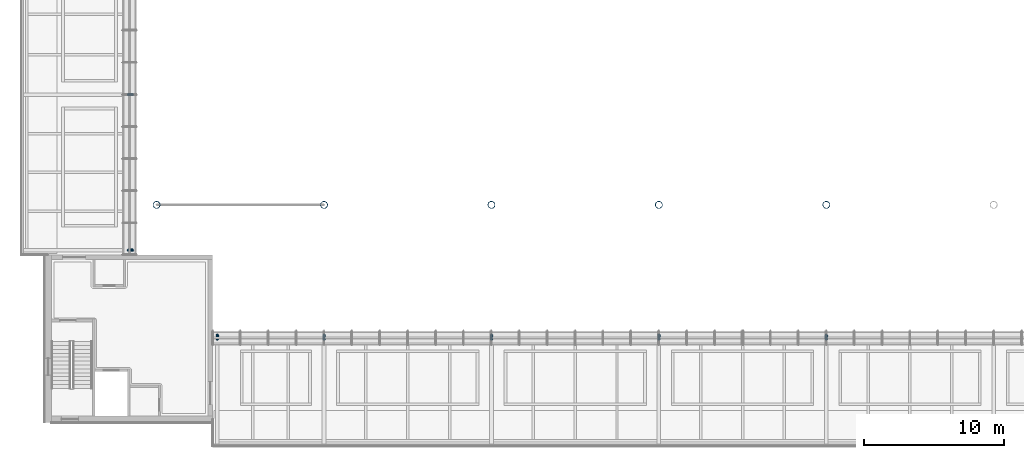
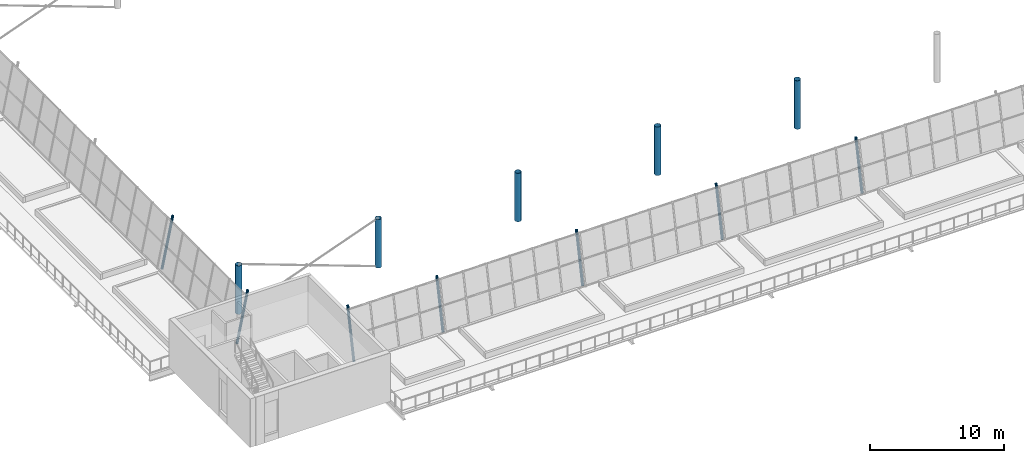
# One storey, part 1 of 58: 12 columns.
"""IFC4 building model written with IfcOpenShell, lengths in metres."""

import ifcopenshell
import ifcopenshell.guid

model = None  # the IFC model being written
_history = None  # IfcOwnerHistory: only IFC2X3 demands one
_inside = {}  # id of a spatial element -> (the spatial element, [elements in it])
_under = {}  # id of a project, library or spatial element -> (it, [spatial elements below it])
_declared = {}  # id of a project -> (the project, [libraries it declares])
_typed = {}  # id of a type object -> (the type object, [elements of that type])
_made_of = {}  # id of a material, layer set ... -> (it, [elements and type objects made of it])


def new_model(schema):
    """Start an empty IFC model of exactly this schema.

    Asked for "IFC4X3", IfcOpenShell would pick the latest addendum, in which some entities
    have other attributes; the version numbers below select the first issue.
    IFC2X3 requires an IfcOwnerHistory on every rooted entity: one is made here for all.
    """
    global model, _history
    if schema == "IFC4X3":
        model = ifcopenshell.file(schema_version=(4, 3, 0, 0))
    else:
        model = ifcopenshell.file(schema=schema)
    _inside.clear()
    _under.clear()
    _declared.clear()
    _typed.clear()
    _made_of.clear()
    _history = None
    if model.schema == "IFC2X3":
        org = make("IfcOrganization", Name="unknown")
        user = make(
            "IfcPersonAndOrganization",
            ThePerson=make("IfcPerson", FamilyName="unknown"),
            TheOrganization=org,
        )
        app = make(
            "IfcApplication",
            ApplicationDeveloper=org,
            Version="unknown",
            ApplicationFullName="unknown",
            ApplicationIdentifier="unknown",
        )
        _history = make(
            "IfcOwnerHistory",
            OwningUser=user,
            OwningApplication=app,
            ChangeAction="ADDED",
            CreationDate=0,
        )
    return model


def make(cls, **values):
    """One entity of the class cls with the attributes given. An attribute that is None is left unset."""
    return model.create_entity(
        cls, **{name: value for name, value in values.items() if value is not None}
    )


def rooted(cls, **values):
    """An entity with a GlobalId (a new one), such as an element, a storey or a relation."""
    return make(cls, GlobalId=ifcopenshell.guid.new(), OwnerHistory=_history, **values)


def si_unit(unit_type, name, prefix=None):
    """IfcSIUnit, for example si_unit("LENGTHUNIT", "METRE", prefix="MILLI")."""
    return make("IfcSIUnit", UnitType=unit_type, Prefix=prefix, Name=name)


def assignment(units):
    """IfcUnitAssignment: the units of a project."""
    return None if units is None else make("IfcUnitAssignment", Units=units)


def point(xyz):
    """IfcCartesianPoint."""
    return None if xyz is None else make("IfcCartesianPoint", Coordinates=xyz)


def direction(xyz):
    """IfcDirection."""
    return None if xyz is None else make("IfcDirection", DirectionRatios=xyz)


def frame(location, z_axis=None, x_axis=None):
    """IfcAxis2Placement3D, a coordinate frame: its origin and axes. An axis left out is left unset."""
    return make(
        "IfcAxis2Placement3D",
        Location=point(location),
        Axis=direction(z_axis),
        RefDirection=direction(x_axis),
    )


def frame_2d(location, x_axis=None):
    """IfcAxis2Placement2D, a coordinate frame in the plane: its origin and x axis."""
    return make(
        "IfcAxis2Placement2D", Location=point(location), RefDirection=direction(x_axis)
    )


def origin():
    """The frame at (0, 0, 0) with its axes left unset."""
    return frame((0.0, 0.0, 0.0))


def origin_2d():
    """The frame at (0, 0) in the plane with its x axis left unset."""
    return frame_2d((0.0, 0.0))


def place(relative_to, where):
    """IfcLocalPlacement: puts the frame where relative to a parent placement (None: the world)."""
    return make(
        "IfcLocalPlacement", PlacementRelTo=relative_to, RelativePlacement=where
    )


def context(
    kind, dimensions, precision=None, world=None, true_north=None, identifier=None
):
    """IfcGeometricRepresentationContext, for example the 3D "Model" context."""
    return make(
        "IfcGeometricRepresentationContext",
        ContextIdentifier=identifier,
        ContextType=kind,
        CoordinateSpaceDimension=dimensions,
        Precision=precision,
        WorldCoordinateSystem=world,
        TrueNorth=true_north,
    )


def subcontext(parent, identifier, kind, view, scale=None):
    """IfcGeometricRepresentationSubContext, for example "Body" below "Model"."""
    return make(
        "IfcGeometricRepresentationSubContext",
        ContextIdentifier=identifier,
        ContextType=kind,
        ParentContext=parent,
        TargetScale=scale,
        TargetView=view,
    )


def project(units=None, contexts=None):
    """IfcProject with its units and contexts."""
    return rooted(
        "IfcProject",
        Name="project",
        RepresentationContexts=contexts,
        UnitsInContext=assignment(units),
    )


def spatial(cls, under=None, at=None, **own):
    """A site, building, storey or space (cls), placed at a placement, below another one or the project."""
    s = rooted(cls, ObjectPlacement=at, **own)
    if under is not None:
        _under.setdefault(under.id(), (under, []))[1].append(s)
    return s


def profile(cls, at=None, kind="AREA", **sizes):
    """A parametric profile (cls). Its sizes go by their IFC names, for example OverallWidth=200.0."""
    return make(cls, ProfileType=kind, Position=at, **sizes)


def hollow_circle(**sizes):
    """IfcCircleHollowProfileDef."""
    return profile("IfcCircleHollowProfileDef", **sizes)


def extrude(swept, where, along, depth):
    """IfcExtrudedAreaSolid: the profile swept, set in the frame where, extruded along a direction by depth."""
    return make(
        "IfcExtrudedAreaSolid",
        SweptArea=swept,
        Position=where,
        ExtrudedDirection=direction(along),
        Depth=depth,
    )


def shape(context_of_items, identifier, shape_type, items):
    """IfcShapeRepresentation: the items that make up one representation, for example the "Body"."""
    return make(
        "IfcShapeRepresentation",
        ContextOfItems=context_of_items,
        RepresentationIdentifier=identifier,
        RepresentationType=shape_type,
        Items=items,
    )


def material(Name=None, Category=None):
    """IfcMaterial."""
    return make("IfcMaterial", Name=Name, Category=Category)


def material_profile(
    of_material, cross_section, Name=None, Category=None, Priority=None
):
    """IfcMaterialProfile: a cross section and its material."""
    return make(
        "IfcMaterialProfile",
        Name=Name,
        Material=of_material,
        Profile=cross_section,
        Priority=Priority,
        Category=Category,
    )


def profile_set(profiles, Name=None, composite=None):
    """IfcMaterialProfileSet."""
    return make(
        "IfcMaterialProfileSet",
        Name=Name,
        MaterialProfiles=profiles,
        CompositeProfile=composite,
    )


def made_of(thing, what):
    """Note that an element or type object is made of a material, layer set ...; save() writes the relation."""
    if what is not None:
        _made_of.setdefault(what.id(), (what, []))[1].append(thing)
    return thing


def type_object(cls, material=None, **own):
    """A type object (cls), such as IfcWallType, which elements share."""
    return made_of(rooted(cls, **own), material)


def element(
    cls,
    number,
    at=None,
    inside=None,
    cuts=None,
    type_object=None,
    material=None,
    context=None,
    identifier="Body",
    shape_type=None,
    held_by="IfcProductDefinitionShape",
    body=None,
    shapes=None,
    **own,
):
    """One element of the class cls, such as IfcWall. Its Tag is "e" and its number.

    at: its placement. inside: the storey or other place that contains it. cuts: it is an
    opening in that element (IfcRelVoidsElement). A single representation is given by context,
    identifier, shape_type and body (its items); several are given by shapes. held_by: the class
    of the entity that holds the representations. save() writes the other relations.
    """
    e = rooted(cls, Tag="e%d" % number, ObjectPlacement=at, **own)
    if body is not None:
        shapes = [shape(context, identifier, shape_type, body)]
    if shapes is not None:
        e.Representation = make(held_by, Representations=shapes)
    if inside is not None:
        _inside.setdefault(inside.id(), (inside, []))[1].append(e)
    if cuts is not None:
        rooted(
            "IfcRelVoidsElement", RelatingBuildingElement=cuts, RelatedOpeningElement=e
        )
    if type_object is not None:
        _typed.setdefault(type_object.id(), (type_object, []))[1].append(e)
    return made_of(e, material)


def aggregate(whole, parts):
    """IfcRelAggregates: a whole, such as a stair, and the parts it consists of."""
    return rooted("IfcRelAggregates", RelatingObject=whole, RelatedObjects=parts)


def save(model, path):
    """Write the relations noted so far, then the file.

    IfcRelAggregates (storeys below a building ...), IfcRelContainedInSpatialStructure (elements
    in a storey), IfcRelDefinesByType, IfcRelAssociatesMaterial and IfcRelDeclares: one each for
    every whole, place, type object, material and project.
    """
    for whole, parts in _under.values():
        aggregate(whole, parts)
    for where, things in _inside.values():
        rooted(
            "IfcRelContainedInSpatialStructure",
            RelatedElements=things,
            RelatingStructure=where,
        )
    for kind, things in _typed.values():
        rooted("IfcRelDefinesByType", RelatedObjects=things, RelatingType=kind)
    for what, things in _made_of.values():
        rooted("IfcRelAssociatesMaterial", RelatedObjects=things, RelatingMaterial=what)
    for by, libraries in _declared.values():
        rooted("IfcRelDeclares", RelatingContext=by, RelatedDefinitions=libraries)
    model.write(path)


model = new_model("IFC4")

# Units and contexts
model_context = context("Model", 3, precision=1e-05, world=origin(), true_north=direction((0.0, 1.0)))
body_context = subcontext(model_context, "Body", "Model", "MODEL_VIEW")
ifc_project = project(units=[si_unit("LENGTHUNIT", "METRE"), si_unit("AREAUNIT", "SQUARE_METRE"), si_unit("VOLUMEUNIT", "CUBIC_METRE"), si_unit("PLANEANGLEUNIT", "RADIAN"), si_unit("MASSUNIT", "GRAM", prefix="KILO")], contexts=[model_context])

# Site, building, storey
site_placement = place(None, origin())
site = spatial("IfcSite", under=ifc_project, at=site_placement, CompositionType="ELEMENT")
building_placement = place(site_placement, origin())
building = spatial("IfcBuilding", under=site, at=building_placement, Name="Windward Yard Aquatics Centre", CompositionType="ELEMENT")
storey_placement = place(building_placement, frame((0.0, 0.0, 13.800048828125)))
storey = spatial("IfcBuildingStorey", under=building, at=storey_placement, Name="L03", CompositionType="ELEMENT", Elevation=13.800048828125)

# Columns
ifc_material = material(Name="Steel ASTM A500 Gr C", Category="steel")
ifc_material_profile_1 = material_profile(ifc_material, hollow_circle(Radius=0.25390625, WallThickness=0.015869140625, at=origin_2d()), Name="HSS508X15.9")
ifc_profile_set_1 = profile_set([ifc_material_profile_1], Name="Steel ASTM A500 Gr C")
column_type_1 = type_object("IfcColumnType", Name="H arch column HSS508X15.9", PredefinedType="COLUMN", material=ifc_profile_set_1)
for number, where, z_axis, x_axis, name in (
    (1, (60.0, 41.60009765625, 0.0), (0.0, 0.0, 1.0), (1.0, 0.0, 0.0), "H.AC.S1.L03"),
    (2, (72.0, 41.60009765625, 0.0), (0.0, 0.0, 1.0), (1.0, 0.0, 0.0), "H.AC.S2.L03"),
    (3, (84.0, 41.60009765625, 0.0), (0.0, 0.0, 1.0), (1.0, 0.0, 0.0), "H.AC.S3.L03"),
    (4, (96.0, 41.60009765625, 0.0), (0.0, 0.0, 1.0), (1.0, 0.0, 0.0), "H.AC.S4.L03"),
    (5, (108.0, 41.60009765625, 0.0), (0.0, 0.0, 1.0), (1.0, 0.0, 0.0), "H.AC.S5.L03"),
):
    element("IfcColumn", number, at=place(storey_placement, frame(where, z_axis=z_axis, x_axis=x_axis)), inside=storey, type_object=column_type_1, Name=name, PredefinedType="COLUMN", context=body_context, shape_type="SweptSolid", body=[
        extrude(hollow_circle(Radius=0.25390625, WallThickness=0.015869140625, at=origin_2d()), origin(), (0.0, 0.0, 1.0), 4.39990234375),
    ])
ifc_material_profile_2 = material_profile(ifc_material, hollow_circle(Radius=0.109619140625, WallThickness=0.0126953125, at=origin_2d()), Name="HSS219.1X12.7")
ifc_profile_set_2 = profile_set([ifc_material_profile_2], Name="Steel ASTM A500 Gr C")
column_type_2 = type_object("IfcColumnType", Name="H tier 2 leg HSS219.1X12.7", PredefinedType="COLUMN", material=ifc_profile_set_2)
for number, where, z_axis, x_axis, name in (
    (6, (64.35009765625, 31.983642578125, -0.128173828125), (0.0, 0.199346128659, 0.9799291408), (-1.0, 0.0, 0.0), "H.TL.S1.T2A.L03"),
    (7, (72.0, 31.983642578125, -0.128173828125), (0.0, 0.199346128659, 0.9799291408), (-1.0, 0.0, 0.0), "H.TL.S2.T2A.L03"),
    (8, (84.0, 31.983642578125, -0.128173828125), (0.0, 0.199346128659, 0.9799291408), (-1.0, 0.0, 0.0), "H.TL.S3.T2A.L03"),
    (9, (96.0, 31.983642578125, -0.128173828125), (0.0, 0.199346128659, 0.9799291408), (-1.0, 0.0, 0.0), "H.TL.S4.T2A.L03"),
    (10, (108.0, 31.983642578125, -0.128173828125), (0.0, 0.199346128659, 0.9799291408), (-1.0, 0.0, 0.0), "H.TL.S5.T2A.L03"),
    (11, (57.983642578125, 38.35009765625, -0.128173828125), (0.199346128659, 0.0, 0.9799291408), (0.0, 1.0, 0.0), "H.TL.W1.T2A.L03"),
    (12, (57.983642578125, 49.5, -0.128173828125), (0.199346128659, 0.0, 0.9799291408), (0.0, 1.0, 0.0), "H.TL.W2.T2A.L03"),
):
    element("IfcColumn", number, at=place(storey_placement, frame(where, z_axis=z_axis, x_axis=x_axis)), inside=storey, type_object=column_type_2, Name=name, PredefinedType="COLUMN", context=body_context, shape_type="SweptSolid", body=[
        extrude(hollow_circle(Radius=0.109619140625, WallThickness=0.0126953125, at=origin_2d()), origin(), (0.0, 0.0, 1.0), 4.620849609375),
    ])

save(model, "model.ifc")
